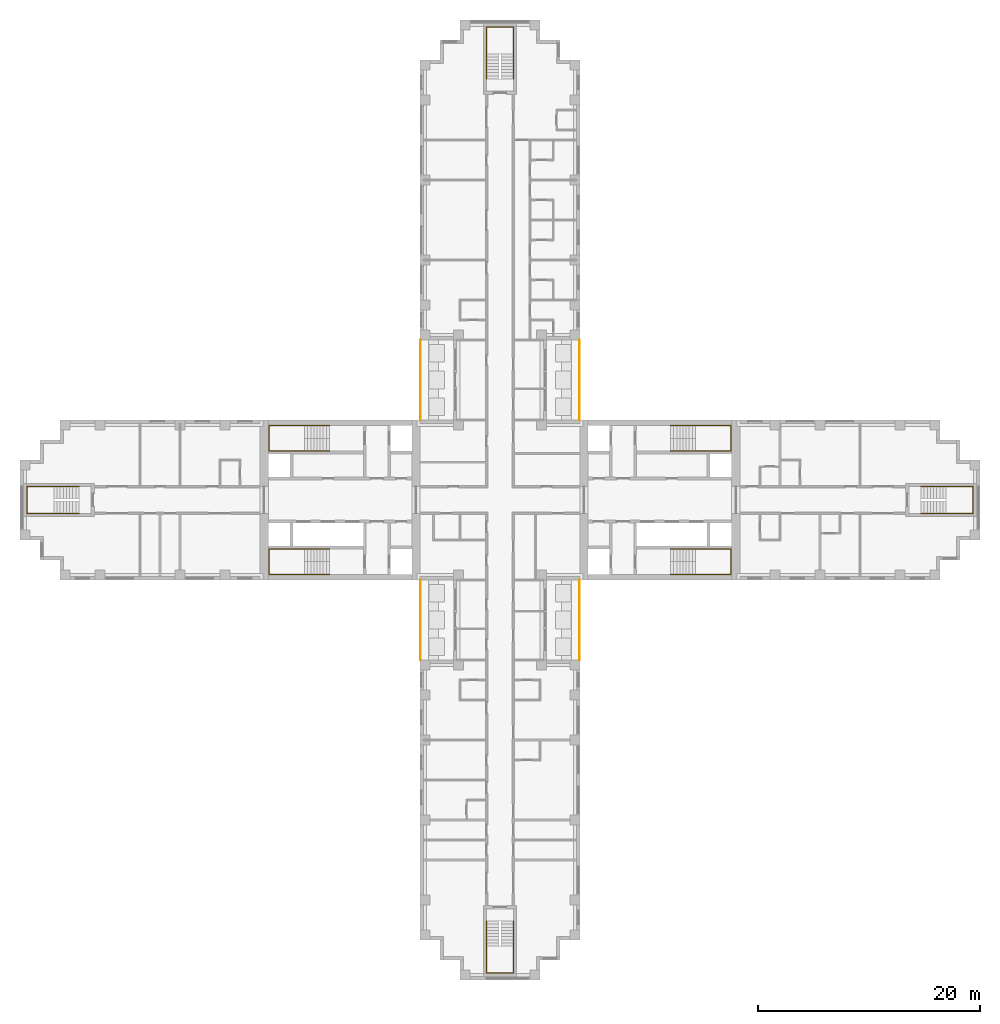
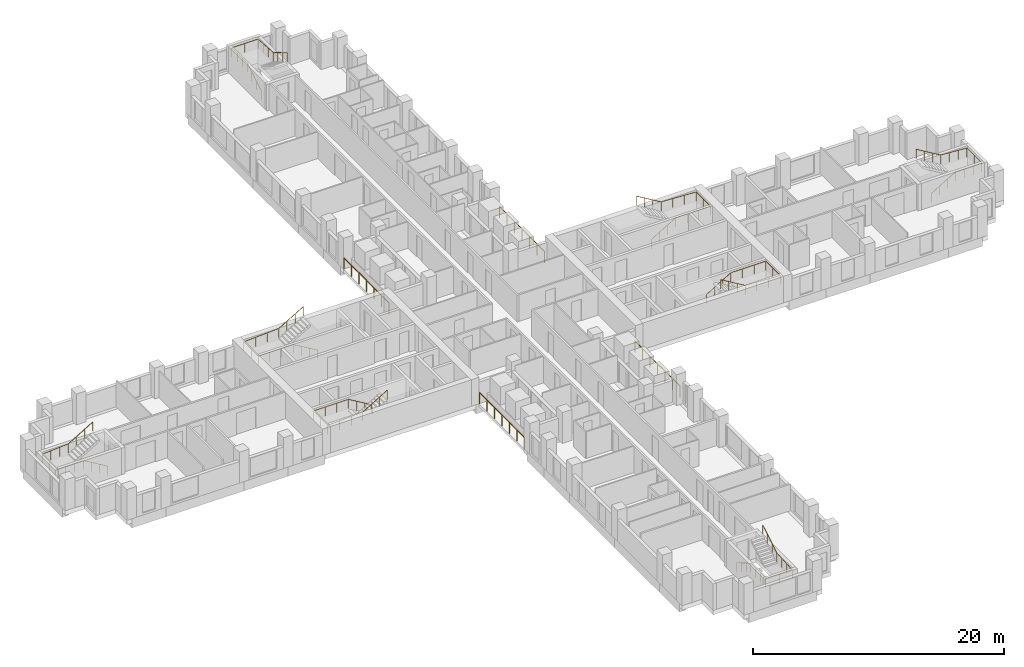
# One storey, part 14 of 15: 12 railings.
"""IFC4 building model written with IfcOpenShell, lengths in metres."""

from ifc_helpers import new_model, si_unit, direction, frame, origin, origin_2d, place, context, subcontext, project, spatial, circle, extrude, material, type_object, element, save


model = new_model("IFC4")

# Units and contexts
model_context = context("Model", 3, precision=1e-05, world=origin(), true_north=direction((0.0, 1.0)))
body_context = subcontext(model_context, "Body", "Model", "MODEL_VIEW")
ifc_project = project(units=[si_unit("LENGTHUNIT", "METRE"), si_unit("AREAUNIT", "SQUARE_METRE"), si_unit("VOLUMEUNIT", "CUBIC_METRE"), si_unit("PLANEANGLEUNIT", "RADIAN"), si_unit("MASSUNIT", "GRAM", prefix="KILO")], contexts=[model_context])

# Site, building, storey
site_placement = place(None, origin())
site = spatial("IfcSite", under=ifc_project, at=site_placement, CompositionType="ELEMENT")
building_placement = place(site_placement, origin())
building = spatial("IfcBuilding", under=site, at=building_placement, Name="Fustian Cross Tower", CompositionType="ELEMENT")
storey_placement = place(building_placement, frame((0.0, 0.0, 41.699951171875)))
storey = spatial("IfcBuildingStorey", under=building, at=storey_placement, Name="L12", CompositionType="ELEMENT", Elevation=41.699951171875)

# Railings
ifc_material_1 = material(Name="Stainless steel and glass", Category="steel")
railing_type_1 = type_object("IfcRailingType", Name="GR1 BALCONY GUARD 1100", PredefinedType="GUARDRAIL", material=ifc_material_1)
for number, where, name in (
    (1, (7.14990234375, 7.199951171875, 0.0), "Balcony guard"),
    (2, (-7.14990234375, 7.199951171875, 0.0), "Balcony guard"),
    (3, (7.14990234375, -14.39990234375, 0.0), "Balcony guard"),
    (4, (-7.14990234375, -14.39990234375, 0.0), "Balcony guard"),
):
    element("IfcRailing", number, at=place(storey_placement, frame(where)), inside=storey, type_object=railing_type_1, Name=name, PredefinedType="GUARDRAIL", context=body_context, shape_type="SweptSolid", body=[
        extrude(circle(Radius=0.02392578125, at=origin_2d()), frame((0.0, 0.0, 1.076171875), z_axis=(0.0, 1.0, 0.0), x_axis=(-1.0, 0.0, 0.0)), (0.0, 0.0, 1.0), 7.199951171875),
        extrude(circle(Radius=0.02099609375, at=origin_2d()), origin(), (0.0, 0.0, 1.0), 1.052001953125),
        extrude(circle(Radius=0.02099609375, at=origin_2d()), frame((0.0, 1.199951171875, 0.0)), (0.0, 0.0, 1.0), 1.052001953125),
        extrude(circle(Radius=0.02099609375, at=origin_2d()), frame((0.0, 2.39990234375, 0.0)), (0.0, 0.0, 1.0), 1.052001953125),
        extrude(circle(Radius=0.02099609375, at=origin_2d()), frame((0.0, 3.60009765625, 0.0)), (0.0, 0.0, 1.0), 1.052001953125),
        extrude(circle(Radius=0.02099609375, at=origin_2d()), frame((0.0, 4.800048828125, 0.0)), (0.0, 0.0, 1.0), 1.052001953125),
        extrude(circle(Radius=0.02099609375, at=origin_2d()), frame((0.0, 6.0, 0.0)), (0.0, 0.0, 1.0), 1.052001953125),
        extrude(circle(Radius=0.02099609375, at=origin_2d()), frame((0.0, 7.199951171875, 0.0)), (0.0, 0.0, 1.0), 1.052001953125),
    ])
ifc_material_2 = material(Name="Stainless steel", Category="steel")
railing_type_2 = type_object("IfcRailingType", Name="STAIR HANDRAIL", PredefinedType="HANDRAIL", material=ifc_material_2)
railing_1_placement = place(storey_placement, frame((15.35009765625, 4.39990234375, 0.166748046875)))
element("IfcRailing", 5, at=railing_1_placement, inside=storey, type_object=railing_type_2, Name="Stair ST1 handrail 1", PredefinedType="HANDRAIL", context=body_context, shape_type="SweptSolid", body=[
    extrude(circle(Radius=0.02490234375, at=origin_2d()), frame((0.0, 0.0, 0.875), z_axis=(0.859305625298, 0.0, 0.511462454469), x_axis=(0.0, 1.0, 0.0)), (0.0, 0.0, 1.0), 2.606689453125),
    extrude(circle(Radius=0.02490234375, at=origin_2d()), frame((2.239990234375, 0.0, 2.2080078125), z_axis=(1.0, 0.0, 0.0), x_axis=(0.0, 1.0, 0.0)), (0.0, 0.0, 1.0), 3.219970703125),
    extrude(circle(Radius=0.02490234375, at=origin_2d()), frame((5.4599609375, 0.0, 2.2080078125), z_axis=(0.0, 1.0, 0.0), x_axis=(-1.0, 0.0, 0.0)), (0.0, 0.0, 1.0), 2.300048828125),
    extrude(circle(Radius=0.02490234375, at=origin_2d()), frame((5.4599609375, 2.300048828125, 2.2080078125), z_axis=(-0.998661817807, 0.0, 0.051716280352), x_axis=(0.0, -1.0, 0.0)), (0.0, 0.0, 1.0), 3.224365234375),
    extrude(circle(Radius=0.02490234375, at=origin_2d()), frame((2.239990234375, 2.300048828125, 2.375), z_axis=(-0.859305625298, 0.0, 0.511462454469), x_axis=(0.0, -1.0, 0.0)), (0.0, 0.0, 1.0), 2.606689453125),
    extrude(circle(Radius=0.02001953125, at=origin_2d()), origin(), (0.0, 0.0, 1.0), 0.849853515625),
    extrude(circle(Radius=0.02001953125, at=origin_2d()), frame((0.74658203125, 0.0, 0.4443359375)), (0.0, 0.0, 1.0), 0.849853515625),
    extrude(circle(Radius=0.02001953125, at=origin_2d()), frame((1.493408203125, 0.0, 0.888916015625)), (0.0, 0.0, 1.0), 0.849853515625),
    extrude(circle(Radius=0.02001953125, at=origin_2d()), frame((2.239990234375, 0.0, 1.333251953125)), (0.0, 0.0, 1.0), 0.849853515625),
    extrude(circle(Radius=0.02001953125, at=origin_2d()), frame((3.313232421875, 0.0, 1.333251953125)), (0.0, 0.0, 1.0), 0.849853515625),
    extrude(circle(Radius=0.02001953125, at=origin_2d()), frame((4.38671875, 0.0, 1.333251953125)), (0.0, 0.0, 1.0), 0.849853515625),
    extrude(circle(Radius=0.02001953125, at=origin_2d()), frame((5.4599609375, 0.0, 1.333251953125)), (0.0, 0.0, 1.0), 0.849853515625),
    extrude(circle(Radius=0.02001953125, at=origin_2d()), frame((5.4599609375, 1.14990234375, 1.333251953125)), (0.0, 0.0, 1.0), 0.849853515625),
    extrude(circle(Radius=0.02001953125, at=origin_2d()), frame((5.4599609375, 2.300048828125, 1.333251953125)), (0.0, 0.0, 1.0), 0.849853515625),
    extrude(circle(Radius=0.02001953125, at=origin_2d()), frame((4.38671875, 2.300048828125, 1.388916015625)), (0.0, 0.0, 1.0), 0.849853515625),
    extrude(circle(Radius=0.02001953125, at=origin_2d()), frame((3.313232421875, 2.300048828125, 1.4443359375)), (0.0, 0.0, 1.0), 0.849853515625),
    extrude(circle(Radius=0.02001953125, at=origin_2d()), frame((2.239990234375, 2.300048828125, 1.5)), (0.0, 0.0, 1.0), 0.849853515625),
    extrude(circle(Radius=0.02001953125, at=origin_2d()), frame((1.493408203125, 2.300048828125, 1.9443359375)), (0.0, 0.0, 1.0), 0.849853515625),
    extrude(circle(Radius=0.02001953125, at=origin_2d()), frame((0.74658203125, 2.300048828125, 2.388916015625)), (0.0, 0.0, 1.0), 0.849853515625),
    extrude(circle(Radius=0.02001953125, at=origin_2d()), frame((0.0, 2.300048828125, 2.833251953125)), (0.0, 0.0, 1.0), 0.849853515625),
])
railing_2_placement = place(storey_placement, frame((15.35009765625, -4.39990234375, 0.166748046875)))
element("IfcRailing", 6, at=railing_2_placement, inside=storey, type_object=railing_type_2, Name="Stair ST2 handrail 1", PredefinedType="HANDRAIL", context=body_context, shape_type="SweptSolid", body=[
    extrude(circle(Radius=0.02490234375, at=origin_2d()), frame((0.0, 0.0, 0.875), z_axis=(0.859305625298, 0.0, 0.511462454469), x_axis=(0.0, 1.0, 0.0)), (0.0, 0.0, 1.0), 2.606689453125),
    extrude(circle(Radius=0.02490234375, at=origin_2d()), frame((2.239990234375, 0.0, 2.2080078125), z_axis=(1.0, 0.0, 0.0), x_axis=(0.0, 1.0, 0.0)), (0.0, 0.0, 1.0), 3.219970703125),
    extrude(circle(Radius=0.02490234375, at=origin_2d()), frame((5.4599609375, 0.0, 2.2080078125), z_axis=(0.0, -1.0, 0.0), x_axis=(1.0, 0.0, 0.0)), (0.0, 0.0, 1.0), 2.300048828125),
    extrude(circle(Radius=0.02490234375, at=origin_2d()), frame((5.4599609375, -2.300048828125, 2.2080078125), z_axis=(-0.998661817807, 0.0, 0.051716280352), x_axis=(0.0, -1.0, 0.0)), (0.0, 0.0, 1.0), 3.224365234375),
    extrude(circle(Radius=0.02490234375, at=origin_2d()), frame((2.239990234375, -2.300048828125, 2.375), z_axis=(-0.859305625298, 0.0, 0.511462454469), x_axis=(0.0, -1.0, 0.0)), (0.0, 0.0, 1.0), 2.606689453125),
    extrude(circle(Radius=0.02001953125, at=origin_2d()), origin(), (0.0, 0.0, 1.0), 0.849853515625),
    extrude(circle(Radius=0.02001953125, at=origin_2d()), frame((0.74658203125, 0.0, 0.4443359375)), (0.0, 0.0, 1.0), 0.849853515625),
    extrude(circle(Radius=0.02001953125, at=origin_2d()), frame((1.493408203125, 0.0, 0.888916015625)), (0.0, 0.0, 1.0), 0.849853515625),
    extrude(circle(Radius=0.02001953125, at=origin_2d()), frame((2.239990234375, 0.0, 1.333251953125)), (0.0, 0.0, 1.0), 0.849853515625),
    extrude(circle(Radius=0.02001953125, at=origin_2d()), frame((3.313232421875, 0.0, 1.333251953125)), (0.0, 0.0, 1.0), 0.849853515625),
    extrude(circle(Radius=0.02001953125, at=origin_2d()), frame((4.38671875, 0.0, 1.333251953125)), (0.0, 0.0, 1.0), 0.849853515625),
    extrude(circle(Radius=0.02001953125, at=origin_2d()), frame((5.4599609375, 0.0, 1.333251953125)), (0.0, 0.0, 1.0), 0.849853515625),
    extrude(circle(Radius=0.02001953125, at=origin_2d()), frame((5.4599609375, -1.14990234375, 1.333251953125)), (0.0, 0.0, 1.0), 0.849853515625),
    extrude(circle(Radius=0.02001953125, at=origin_2d()), frame((5.4599609375, -2.300048828125, 1.333251953125)), (0.0, 0.0, 1.0), 0.849853515625),
    extrude(circle(Radius=0.02001953125, at=origin_2d()), frame((4.38671875, -2.300048828125, 1.388916015625)), (0.0, 0.0, 1.0), 0.849853515625),
    extrude(circle(Radius=0.02001953125, at=origin_2d()), frame((3.313232421875, -2.300048828125, 1.4443359375)), (0.0, 0.0, 1.0), 0.849853515625),
    extrude(circle(Radius=0.02001953125, at=origin_2d()), frame((2.239990234375, -2.300048828125, 1.5)), (0.0, 0.0, 1.0), 0.849853515625),
    extrude(circle(Radius=0.02001953125, at=origin_2d()), frame((1.493408203125, -2.300048828125, 1.9443359375)), (0.0, 0.0, 1.0), 0.849853515625),
    extrude(circle(Radius=0.02001953125, at=origin_2d()), frame((0.74658203125, -2.300048828125, 2.388916015625)), (0.0, 0.0, 1.0), 0.849853515625),
    extrude(circle(Radius=0.02001953125, at=origin_2d()), frame((0.0, -2.300048828125, 2.833251953125)), (0.0, 0.0, 1.0), 0.849853515625),
])
railing_3_placement = place(storey_placement, frame((-15.35009765625, 4.39990234375, 0.166748046875)))
element("IfcRailing", 7, at=railing_3_placement, inside=storey, type_object=railing_type_2, Name="Stair ST3 handrail 1", PredefinedType="HANDRAIL", context=body_context, shape_type="SweptSolid", body=[
    extrude(circle(Radius=0.02490234375, at=origin_2d()), frame((0.0, 0.0, 0.875), z_axis=(-0.859305625298, 0.0, 0.511462454469), x_axis=(0.0, -1.0, 0.0)), (0.0, 0.0, 1.0), 2.606689453125),
    extrude(circle(Radius=0.02490234375, at=origin_2d()), frame((-2.239990234375, 0.0, 2.2080078125), z_axis=(-1.0, 0.0, 0.0), x_axis=(0.0, -1.0, 0.0)), (0.0, 0.0, 1.0), 3.219970703125),
    extrude(circle(Radius=0.02490234375, at=origin_2d()), frame((-5.4599609375, 0.0, 2.2080078125), z_axis=(0.0, 1.0, 0.0), x_axis=(-1.0, 0.0, 0.0)), (0.0, 0.0, 1.0), 2.300048828125),
    extrude(circle(Radius=0.02490234375, at=origin_2d()), frame((-5.4599609375, 2.300048828125, 2.2080078125), z_axis=(0.998661817807, 0.0, 0.051716280352), x_axis=(0.0, 1.0, 0.0)), (0.0, 0.0, 1.0), 3.224365234375),
    extrude(circle(Radius=0.02490234375, at=origin_2d()), frame((-2.239990234375, 2.300048828125, 2.375), z_axis=(0.859305625298, 0.0, 0.511462454469), x_axis=(0.0, 1.0, 0.0)), (0.0, 0.0, 1.0), 2.606689453125),
    extrude(circle(Radius=0.02001953125, at=origin_2d()), origin(), (0.0, 0.0, 1.0), 0.849853515625),
    extrude(circle(Radius=0.02001953125, at=origin_2d()), frame((-0.74658203125, 0.0, 0.4443359375)), (0.0, 0.0, 1.0), 0.849853515625),
    extrude(circle(Radius=0.02001953125, at=origin_2d()), frame((-1.493408203125, 0.0, 0.888916015625)), (0.0, 0.0, 1.0), 0.849853515625),
    extrude(circle(Radius=0.02001953125, at=origin_2d()), frame((-2.239990234375, 0.0, 1.333251953125)), (0.0, 0.0, 1.0), 0.849853515625),
    extrude(circle(Radius=0.02001953125, at=origin_2d()), frame((-3.313232421875, 0.0, 1.333251953125)), (0.0, 0.0, 1.0), 0.849853515625),
    extrude(circle(Radius=0.02001953125, at=origin_2d()), frame((-4.38671875, 0.0, 1.333251953125)), (0.0, 0.0, 1.0), 0.849853515625),
    extrude(circle(Radius=0.02001953125, at=origin_2d()), frame((-5.4599609375, 0.0, 1.333251953125)), (0.0, 0.0, 1.0), 0.849853515625),
    extrude(circle(Radius=0.02001953125, at=origin_2d()), frame((-5.4599609375, 1.14990234375, 1.333251953125)), (0.0, 0.0, 1.0), 0.849853515625),
    extrude(circle(Radius=0.02001953125, at=origin_2d()), frame((-5.4599609375, 2.300048828125, 1.333251953125)), (0.0, 0.0, 1.0), 0.849853515625),
    extrude(circle(Radius=0.02001953125, at=origin_2d()), frame((-4.38671875, 2.300048828125, 1.388916015625)), (0.0, 0.0, 1.0), 0.849853515625),
    extrude(circle(Radius=0.02001953125, at=origin_2d()), frame((-3.313232421875, 2.300048828125, 1.4443359375)), (0.0, 0.0, 1.0), 0.849853515625),
    extrude(circle(Radius=0.02001953125, at=origin_2d()), frame((-2.239990234375, 2.300048828125, 1.5)), (0.0, 0.0, 1.0), 0.849853515625),
    extrude(circle(Radius=0.02001953125, at=origin_2d()), frame((-1.493408203125, 2.300048828125, 1.9443359375)), (0.0, 0.0, 1.0), 0.849853515625),
    extrude(circle(Radius=0.02001953125, at=origin_2d()), frame((-0.74658203125, 2.300048828125, 2.388916015625)), (0.0, 0.0, 1.0), 0.849853515625),
    extrude(circle(Radius=0.02001953125, at=origin_2d()), frame((0.0, 2.300048828125, 2.833251953125)), (0.0, 0.0, 1.0), 0.849853515625),
])
railing_4_placement = place(storey_placement, frame((-15.35009765625, -4.39990234375, 0.166748046875)))
element("IfcRailing", 8, at=railing_4_placement, inside=storey, type_object=railing_type_2, Name="Stair ST4 handrail 1", PredefinedType="HANDRAIL", context=body_context, shape_type="SweptSolid", body=[
    extrude(circle(Radius=0.02490234375, at=origin_2d()), frame((0.0, 0.0, 0.875), z_axis=(-0.859305625298, 0.0, 0.511462454469), x_axis=(0.0, -1.0, 0.0)), (0.0, 0.0, 1.0), 2.606689453125),
    extrude(circle(Radius=0.02490234375, at=origin_2d()), frame((-2.239990234375, 0.0, 2.2080078125), z_axis=(-1.0, 0.0, 0.0), x_axis=(0.0, -1.0, 0.0)), (0.0, 0.0, 1.0), 3.219970703125),
    extrude(circle(Radius=0.02490234375, at=origin_2d()), frame((-5.4599609375, 0.0, 2.2080078125), z_axis=(0.0, -1.0, 0.0), x_axis=(1.0, 0.0, 0.0)), (0.0, 0.0, 1.0), 2.300048828125),
    extrude(circle(Radius=0.02490234375, at=origin_2d()), frame((-5.4599609375, -2.300048828125, 2.2080078125), z_axis=(0.998661817807, 0.0, 0.051716280352), x_axis=(0.0, 1.0, 0.0)), (0.0, 0.0, 1.0), 3.224365234375),
    extrude(circle(Radius=0.02490234375, at=origin_2d()), frame((-2.239990234375, -2.300048828125, 2.375), z_axis=(0.859305625298, 0.0, 0.511462454469), x_axis=(0.0, 1.0, 0.0)), (0.0, 0.0, 1.0), 2.606689453125),
    extrude(circle(Radius=0.02001953125, at=origin_2d()), origin(), (0.0, 0.0, 1.0), 0.849853515625),
    extrude(circle(Radius=0.02001953125, at=origin_2d()), frame((-0.74658203125, 0.0, 0.4443359375)), (0.0, 0.0, 1.0), 0.849853515625),
    extrude(circle(Radius=0.02001953125, at=origin_2d()), frame((-1.493408203125, 0.0, 0.888916015625)), (0.0, 0.0, 1.0), 0.849853515625),
    extrude(circle(Radius=0.02001953125, at=origin_2d()), frame((-2.239990234375, 0.0, 1.333251953125)), (0.0, 0.0, 1.0), 0.849853515625),
    extrude(circle(Radius=0.02001953125, at=origin_2d()), frame((-3.313232421875, 0.0, 1.333251953125)), (0.0, 0.0, 1.0), 0.849853515625),
    extrude(circle(Radius=0.02001953125, at=origin_2d()), frame((-4.38671875, 0.0, 1.333251953125)), (0.0, 0.0, 1.0), 0.849853515625),
    extrude(circle(Radius=0.02001953125, at=origin_2d()), frame((-5.4599609375, 0.0, 1.333251953125)), (0.0, 0.0, 1.0), 0.849853515625),
    extrude(circle(Radius=0.02001953125, at=origin_2d()), frame((-5.4599609375, -1.14990234375, 1.333251953125)), (0.0, 0.0, 1.0), 0.849853515625),
    extrude(circle(Radius=0.02001953125, at=origin_2d()), frame((-5.4599609375, -2.300048828125, 1.333251953125)), (0.0, 0.0, 1.0), 0.849853515625),
    extrude(circle(Radius=0.02001953125, at=origin_2d()), frame((-4.38671875, -2.300048828125, 1.388916015625)), (0.0, 0.0, 1.0), 0.849853515625),
    extrude(circle(Radius=0.02001953125, at=origin_2d()), frame((-3.313232421875, -2.300048828125, 1.4443359375)), (0.0, 0.0, 1.0), 0.849853515625),
    extrude(circle(Radius=0.02001953125, at=origin_2d()), frame((-2.239990234375, -2.300048828125, 1.5)), (0.0, 0.0, 1.0), 0.849853515625),
    extrude(circle(Radius=0.02001953125, at=origin_2d()), frame((-1.493408203125, -2.300048828125, 1.9443359375)), (0.0, 0.0, 1.0), 0.849853515625),
    extrude(circle(Radius=0.02001953125, at=origin_2d()), frame((-0.74658203125, -2.300048828125, 2.388916015625)), (0.0, 0.0, 1.0), 0.849853515625),
    extrude(circle(Radius=0.02001953125, at=origin_2d()), frame((0.0, -2.300048828125, 2.833251953125)), (0.0, 0.0, 1.0), 0.849853515625),
])
railing_5_placement = place(storey_placement, frame((-1.199951171875, 37.89990234375, 0.166748046875)))
element("IfcRailing", 9, at=railing_5_placement, inside=storey, type_object=railing_type_2, Name="Stair ST5 handrail 1", PredefinedType="HANDRAIL", context=body_context, shape_type="SweptSolid", body=[
    extrude(circle(Radius=0.02490234375, at=origin_2d()), frame((0.0, 0.0, 0.875), z_axis=(0.0, 0.859305625298, 0.511462454469), x_axis=(-1.0, 0.0, 0.0)), (0.0, 0.0, 1.0), 2.606689453125),
    extrude(circle(Radius=0.02490234375, at=origin_2d()), frame((0.0, 2.239990234375, 2.2080078125), z_axis=(0.0, 1.0, 0.0), x_axis=(-1.0, 0.0, 0.0)), (0.0, 0.0, 1.0), 2.420166015625),
    extrude(circle(Radius=0.02490234375, at=origin_2d()), frame((0.0, 4.66015625, 2.2080078125), z_axis=(1.0, 0.0, 0.0), x_axis=(0.0, 1.0, 0.0)), (0.0, 0.0, 1.0), 2.39990234375),
    extrude(circle(Radius=0.02490234375, at=origin_2d()), frame((2.39990234375, 4.66015625, 2.2080078125), z_axis=(0.0, -0.997634852044, 0.068736467663), x_axis=(1.0, 0.0, 0.0)), (0.0, 0.0, 1.0), 2.426025390625),
    extrude(circle(Radius=0.02490234375, at=origin_2d()), frame((2.39990234375, 2.239990234375, 2.375), z_axis=(0.0, -0.859305625298, 0.511462454469), x_axis=(1.0, 0.0, 0.0)), (0.0, 0.0, 1.0), 2.606689453125),
    extrude(circle(Radius=0.02001953125, at=origin_2d()), origin(), (0.0, 0.0, 1.0), 0.849853515625),
    extrude(circle(Radius=0.02001953125, at=origin_2d()), frame((0.0, 0.74658203125, 0.4443359375)), (0.0, 0.0, 1.0), 0.849853515625),
    extrude(circle(Radius=0.02001953125, at=origin_2d()), frame((0.0, 1.493408203125, 0.888916015625)), (0.0, 0.0, 1.0), 0.849853515625),
    extrude(circle(Radius=0.02001953125, at=origin_2d()), frame((0.0, 2.239990234375, 1.333251953125)), (0.0, 0.0, 1.0), 0.849853515625),
    extrude(circle(Radius=0.02001953125, at=origin_2d()), frame((0.0, 3.046630859375, 1.333251953125)), (0.0, 0.0, 1.0), 0.849853515625),
    extrude(circle(Radius=0.02001953125, at=origin_2d()), frame((0.0, 3.853515625, 1.333251953125)), (0.0, 0.0, 1.0), 0.849853515625),
    extrude(circle(Radius=0.02001953125, at=origin_2d()), frame((0.0, 4.66015625, 1.333251953125)), (0.0, 0.0, 1.0), 0.849853515625),
    extrude(circle(Radius=0.02001953125, at=origin_2d()), frame((1.199951171875, 4.66015625, 1.333251953125)), (0.0, 0.0, 1.0), 0.849853515625),
    extrude(circle(Radius=0.02001953125, at=origin_2d()), frame((2.39990234375, 4.66015625, 1.333251953125)), (0.0, 0.0, 1.0), 0.849853515625),
    extrude(circle(Radius=0.02001953125, at=origin_2d()), frame((2.39990234375, 3.853515625, 1.388916015625)), (0.0, 0.0, 1.0), 0.849853515625),
    extrude(circle(Radius=0.02001953125, at=origin_2d()), frame((2.39990234375, 3.046630859375, 1.4443359375)), (0.0, 0.0, 1.0), 0.849853515625),
    extrude(circle(Radius=0.02001953125, at=origin_2d()), frame((2.39990234375, 2.239990234375, 1.5)), (0.0, 0.0, 1.0), 0.849853515625),
    extrude(circle(Radius=0.02001953125, at=origin_2d()), frame((2.39990234375, 1.493408203125, 1.9443359375)), (0.0, 0.0, 1.0), 0.849853515625),
    extrude(circle(Radius=0.02001953125, at=origin_2d()), frame((2.39990234375, 0.74658203125, 2.388916015625)), (0.0, 0.0, 1.0), 0.849853515625),
    extrude(circle(Radius=0.02001953125, at=origin_2d()), frame((2.39990234375, 0.0, 2.833251953125)), (0.0, 0.0, 1.0), 0.849853515625),
])
railing_6_placement = place(storey_placement, frame((-1.199951171875, -37.89990234375, 0.166748046875)))
element("IfcRailing", 10, at=railing_6_placement, inside=storey, type_object=railing_type_2, Name="Stair ST6 handrail 1", PredefinedType="HANDRAIL", context=body_context, shape_type="SweptSolid", body=[
    extrude(circle(Radius=0.02490234375, at=origin_2d()), frame((0.0, 0.0, 0.875), z_axis=(0.0, -0.859305625298, 0.511462454469), x_axis=(1.0, 0.0, 0.0)), (0.0, 0.0, 1.0), 2.606689453125),
    extrude(circle(Radius=0.02490234375, at=origin_2d()), frame((0.0, -2.239990234375, 2.2080078125), z_axis=(0.0, -1.0, 0.0), x_axis=(1.0, 0.0, 0.0)), (0.0, 0.0, 1.0), 2.420166015625),
    extrude(circle(Radius=0.02490234375, at=origin_2d()), frame((0.0, -4.66015625, 2.2080078125), z_axis=(1.0, 0.0, 0.0), x_axis=(0.0, 1.0, 0.0)), (0.0, 0.0, 1.0), 2.39990234375),
    extrude(circle(Radius=0.02490234375, at=origin_2d()), frame((2.39990234375, -4.66015625, 2.2080078125), z_axis=(0.0, 0.997634852044, 0.068736467663), x_axis=(-1.0, 0.0, 0.0)), (0.0, 0.0, 1.0), 2.426025390625),
    extrude(circle(Radius=0.02490234375, at=origin_2d()), frame((2.39990234375, -2.239990234375, 2.375), z_axis=(0.0, 0.859305625298, 0.511462454469), x_axis=(-1.0, 0.0, 0.0)), (0.0, 0.0, 1.0), 2.606689453125),
    extrude(circle(Radius=0.02001953125, at=origin_2d()), origin(), (0.0, 0.0, 1.0), 0.849853515625),
    extrude(circle(Radius=0.02001953125, at=origin_2d()), frame((0.0, -0.74658203125, 0.4443359375)), (0.0, 0.0, 1.0), 0.849853515625),
    extrude(circle(Radius=0.02001953125, at=origin_2d()), frame((0.0, -1.493408203125, 0.888916015625)), (0.0, 0.0, 1.0), 0.849853515625),
    extrude(circle(Radius=0.02001953125, at=origin_2d()), frame((0.0, -2.239990234375, 1.333251953125)), (0.0, 0.0, 1.0), 0.849853515625),
    extrude(circle(Radius=0.02001953125, at=origin_2d()), frame((0.0, -3.046630859375, 1.333251953125)), (0.0, 0.0, 1.0), 0.849853515625),
    extrude(circle(Radius=0.02001953125, at=origin_2d()), frame((0.0, -3.853515625, 1.333251953125)), (0.0, 0.0, 1.0), 0.849853515625),
    extrude(circle(Radius=0.02001953125, at=origin_2d()), frame((0.0, -4.66015625, 1.333251953125)), (0.0, 0.0, 1.0), 0.849853515625),
    extrude(circle(Radius=0.02001953125, at=origin_2d()), frame((1.199951171875, -4.66015625, 1.333251953125)), (0.0, 0.0, 1.0), 0.849853515625),
    extrude(circle(Radius=0.02001953125, at=origin_2d()), frame((2.39990234375, -4.66015625, 1.333251953125)), (0.0, 0.0, 1.0), 0.849853515625),
    extrude(circle(Radius=0.02001953125, at=origin_2d()), frame((2.39990234375, -3.853515625, 1.388916015625)), (0.0, 0.0, 1.0), 0.849853515625),
    extrude(circle(Radius=0.02001953125, at=origin_2d()), frame((2.39990234375, -3.046630859375, 1.4443359375)), (0.0, 0.0, 1.0), 0.849853515625),
    extrude(circle(Radius=0.02001953125, at=origin_2d()), frame((2.39990234375, -2.239990234375, 1.5)), (0.0, 0.0, 1.0), 0.849853515625),
    extrude(circle(Radius=0.02001953125, at=origin_2d()), frame((2.39990234375, -1.493408203125, 1.9443359375)), (0.0, 0.0, 1.0), 0.849853515625),
    extrude(circle(Radius=0.02001953125, at=origin_2d()), frame((2.39990234375, -0.74658203125, 2.388916015625)), (0.0, 0.0, 1.0), 0.849853515625),
    extrude(circle(Radius=0.02001953125, at=origin_2d()), frame((2.39990234375, 0.0, 2.833251953125)), (0.0, 0.0, 1.0), 0.849853515625),
])
railing_7_placement = place(storey_placement, frame((37.89990234375, -1.199951171875, 0.166748046875)))
element("IfcRailing", 11, at=railing_7_placement, inside=storey, type_object=railing_type_2, Name="Stair ST8 handrail 1", PredefinedType="HANDRAIL", context=body_context, shape_type="SweptSolid", body=[
    extrude(circle(Radius=0.02490234375, at=origin_2d()), frame((0.0, 0.0, 0.875), z_axis=(0.859305625298, 0.0, 0.511462454469), x_axis=(0.0, 1.0, 0.0)), (0.0, 0.0, 1.0), 2.606689453125),
    extrude(circle(Radius=0.02490234375, at=origin_2d()), frame((2.239990234375, 0.0, 2.2080078125), z_axis=(1.0, 0.0, 0.0), x_axis=(0.0, 1.0, 0.0)), (0.0, 0.0, 1.0), 2.420166015625),
    extrude(circle(Radius=0.02490234375, at=origin_2d()), frame((4.66015625, 0.0, 2.2080078125), z_axis=(0.0, 1.0, 0.0), x_axis=(-1.0, 0.0, 0.0)), (0.0, 0.0, 1.0), 2.39990234375),
    extrude(circle(Radius=0.02490234375, at=origin_2d()), frame((4.66015625, 2.39990234375, 2.2080078125), z_axis=(-0.997634852044, 0.0, 0.068736467663), x_axis=(0.0, -1.0, 0.0)), (0.0, 0.0, 1.0), 2.426025390625),
    extrude(circle(Radius=0.02490234375, at=origin_2d()), frame((2.239990234375, 2.39990234375, 2.375), z_axis=(-0.859305625298, 0.0, 0.511462454469), x_axis=(0.0, -1.0, 0.0)), (0.0, 0.0, 1.0), 2.606689453125),
    extrude(circle(Radius=0.02001953125, at=origin_2d()), origin(), (0.0, 0.0, 1.0), 0.849853515625),
    extrude(circle(Radius=0.02001953125, at=origin_2d()), frame((0.74658203125, 0.0, 0.4443359375)), (0.0, 0.0, 1.0), 0.849853515625),
    extrude(circle(Radius=0.02001953125, at=origin_2d()), frame((1.493408203125, 0.0, 0.888916015625)), (0.0, 0.0, 1.0), 0.849853515625),
    extrude(circle(Radius=0.02001953125, at=origin_2d()), frame((2.239990234375, 0.0, 1.333251953125)), (0.0, 0.0, 1.0), 0.849853515625),
    extrude(circle(Radius=0.02001953125, at=origin_2d()), frame((3.046630859375, 0.0, 1.333251953125)), (0.0, 0.0, 1.0), 0.849853515625),
    extrude(circle(Radius=0.02001953125, at=origin_2d()), frame((3.853515625, 0.0, 1.333251953125)), (0.0, 0.0, 1.0), 0.849853515625),
    extrude(circle(Radius=0.02001953125, at=origin_2d()), frame((4.66015625, 0.0, 1.333251953125)), (0.0, 0.0, 1.0), 0.849853515625),
    extrude(circle(Radius=0.02001953125, at=origin_2d()), frame((4.66015625, 1.199951171875, 1.333251953125)), (0.0, 0.0, 1.0), 0.849853515625),
    extrude(circle(Radius=0.02001953125, at=origin_2d()), frame((4.66015625, 2.39990234375, 1.333251953125)), (0.0, 0.0, 1.0), 0.849853515625),
    extrude(circle(Radius=0.02001953125, at=origin_2d()), frame((3.853515625, 2.39990234375, 1.388916015625)), (0.0, 0.0, 1.0), 0.849853515625),
    extrude(circle(Radius=0.02001953125, at=origin_2d()), frame((3.046630859375, 2.39990234375, 1.4443359375)), (0.0, 0.0, 1.0), 0.849853515625),
    extrude(circle(Radius=0.02001953125, at=origin_2d()), frame((2.239990234375, 2.39990234375, 1.5)), (0.0, 0.0, 1.0), 0.849853515625),
    extrude(circle(Radius=0.02001953125, at=origin_2d()), frame((1.493408203125, 2.39990234375, 1.9443359375)), (0.0, 0.0, 1.0), 0.849853515625),
    extrude(circle(Radius=0.02001953125, at=origin_2d()), frame((0.74658203125, 2.39990234375, 2.388916015625)), (0.0, 0.0, 1.0), 0.849853515625),
    extrude(circle(Radius=0.02001953125, at=origin_2d()), frame((0.0, 2.39990234375, 2.833251953125)), (0.0, 0.0, 1.0), 0.849853515625),
])
railing_8_placement = place(storey_placement, frame((-37.89990234375, -1.199951171875, 0.166748046875)))
element("IfcRailing", 12, at=railing_8_placement, inside=storey, type_object=railing_type_2, Name="Stair ST9 handrail 1", PredefinedType="HANDRAIL", context=body_context, shape_type="SweptSolid", body=[
    extrude(circle(Radius=0.02490234375, at=origin_2d()), frame((0.0, 0.0, 0.875), z_axis=(-0.859305625298, 0.0, 0.511462454469), x_axis=(0.0, -1.0, 0.0)), (0.0, 0.0, 1.0), 2.606689453125),
    extrude(circle(Radius=0.02490234375, at=origin_2d()), frame((-2.239990234375, 0.0, 2.2080078125), z_axis=(-1.0, 0.0, 0.0), x_axis=(0.0, -1.0, 0.0)), (0.0, 0.0, 1.0), 2.420166015625),
    extrude(circle(Radius=0.02490234375, at=origin_2d()), frame((-4.66015625, 0.0, 2.2080078125), z_axis=(0.0, 1.0, 0.0), x_axis=(-1.0, 0.0, 0.0)), (0.0, 0.0, 1.0), 2.39990234375),
    extrude(circle(Radius=0.02490234375, at=origin_2d()), frame((-4.66015625, 2.39990234375, 2.2080078125), z_axis=(0.997634852044, 0.0, 0.068736467663), x_axis=(0.0, 1.0, 0.0)), (0.0, 0.0, 1.0), 2.426025390625),
    extrude(circle(Radius=0.02490234375, at=origin_2d()), frame((-2.239990234375, 2.39990234375, 2.375), z_axis=(0.859305625298, 0.0, 0.511462454469), x_axis=(0.0, 1.0, 0.0)), (0.0, 0.0, 1.0), 2.606689453125),
    extrude(circle(Radius=0.02001953125, at=origin_2d()), origin(), (0.0, 0.0, 1.0), 0.849853515625),
    extrude(circle(Radius=0.02001953125, at=origin_2d()), frame((-0.74658203125, 0.0, 0.4443359375)), (0.0, 0.0, 1.0), 0.849853515625),
    extrude(circle(Radius=0.02001953125, at=origin_2d()), frame((-1.493408203125, 0.0, 0.888916015625)), (0.0, 0.0, 1.0), 0.849853515625),
    extrude(circle(Radius=0.02001953125, at=origin_2d()), frame((-2.239990234375, 0.0, 1.333251953125)), (0.0, 0.0, 1.0), 0.849853515625),
    extrude(circle(Radius=0.02001953125, at=origin_2d()), frame((-3.046630859375, 0.0, 1.333251953125)), (0.0, 0.0, 1.0), 0.849853515625),
    extrude(circle(Radius=0.02001953125, at=origin_2d()), frame((-3.853515625, 0.0, 1.333251953125)), (0.0, 0.0, 1.0), 0.849853515625),
    extrude(circle(Radius=0.02001953125, at=origin_2d()), frame((-4.66015625, 0.0, 1.333251953125)), (0.0, 0.0, 1.0), 0.849853515625),
    extrude(circle(Radius=0.02001953125, at=origin_2d()), frame((-4.66015625, 1.199951171875, 1.333251953125)), (0.0, 0.0, 1.0), 0.849853515625),
    extrude(circle(Radius=0.02001953125, at=origin_2d()), frame((-4.66015625, 2.39990234375, 1.333251953125)), (0.0, 0.0, 1.0), 0.849853515625),
    extrude(circle(Radius=0.02001953125, at=origin_2d()), frame((-3.853515625, 2.39990234375, 1.388916015625)), (0.0, 0.0, 1.0), 0.849853515625),
    extrude(circle(Radius=0.02001953125, at=origin_2d()), frame((-3.046630859375, 2.39990234375, 1.4443359375)), (0.0, 0.0, 1.0), 0.849853515625),
    extrude(circle(Radius=0.02001953125, at=origin_2d()), frame((-2.239990234375, 2.39990234375, 1.5)), (0.0, 0.0, 1.0), 0.849853515625),
    extrude(circle(Radius=0.02001953125, at=origin_2d()), frame((-1.493408203125, 2.39990234375, 1.9443359375)), (0.0, 0.0, 1.0), 0.849853515625),
    extrude(circle(Radius=0.02001953125, at=origin_2d()), frame((-0.74658203125, 2.39990234375, 2.388916015625)), (0.0, 0.0, 1.0), 0.849853515625),
    extrude(circle(Radius=0.02001953125, at=origin_2d()), frame((0.0, 2.39990234375, 2.833251953125)), (0.0, 0.0, 1.0), 0.849853515625),
])

save(model, "model.ifc")
